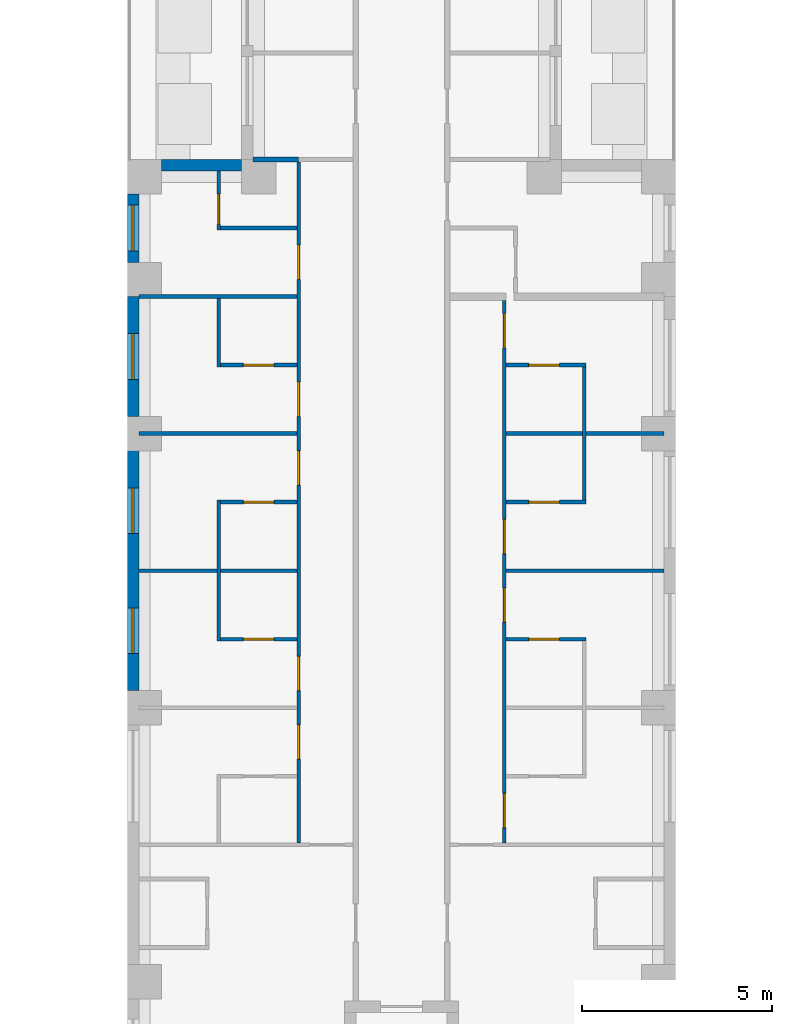
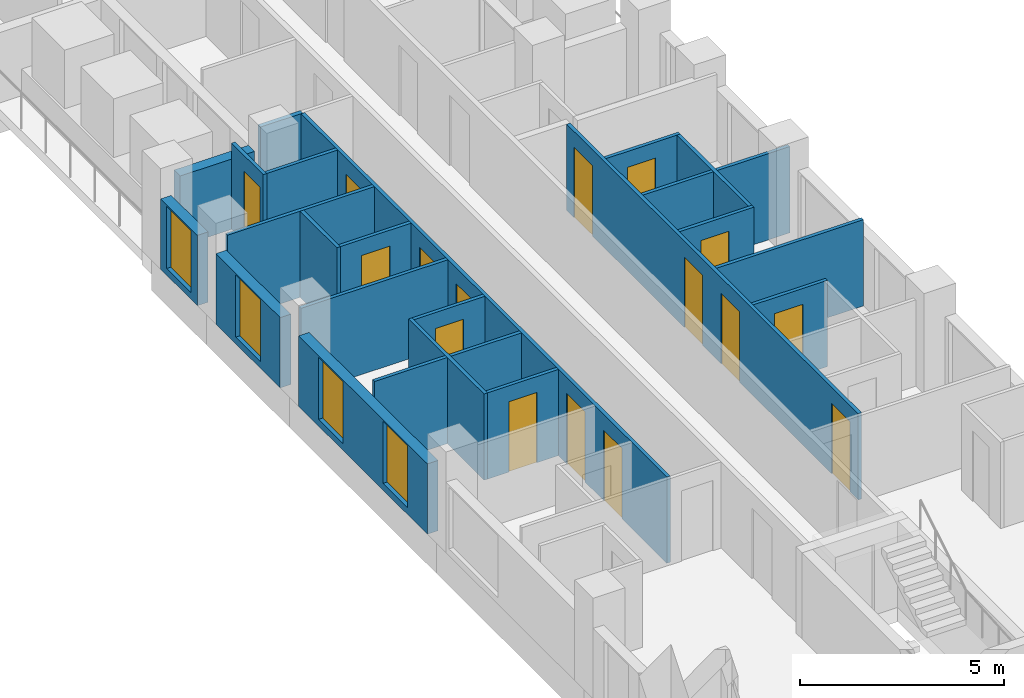
# One storey, part 4 of 14: 23 walls, 16 doors, 4 windows, 20 openings.
"""IFC4 building model written with IfcOpenShell, lengths in metres."""

from ifc_helpers import new_model, si_unit, direction, frame, frame_2d, origin, place, context, subcontext, project, spatial, rectangle, extrude, material, layer, layer_set, type_object, element, fill, save


model = new_model("IFC4")

# Units and contexts
model_context = context("Model", 3, precision=1e-05, world=origin(), true_north=direction((0.0, 1.0)))
body_context = subcontext(model_context, "Body", "Model", "MODEL_VIEW")
ifc_project = project(units=[si_unit("LENGTHUNIT", "METRE"), si_unit("AREAUNIT", "SQUARE_METRE"), si_unit("VOLUMEUNIT", "CUBIC_METRE"), si_unit("PLANEANGLEUNIT", "RADIAN"), si_unit("MASSUNIT", "GRAM", prefix="KILO")], contexts=[model_context])

# Site, building, storey
site_placement = place(None, origin())
site = spatial("IfcSite", under=ifc_project, at=site_placement, CompositionType="ELEMENT")
building_placement = place(site_placement, origin())
building = spatial("IfcBuilding", under=site, at=building_placement, Name="Fustian Cross Tower", CompositionType="ELEMENT")
storey_placement = place(building_placement, frame((0.0, 0.0, 72.89990234375)))
storey = spatial("IfcBuildingStorey", under=building, at=storey_placement, Name="L22", CompositionType="ELEMENT", Elevation=72.89990234375)

# Walls
ifc_material_1 = material(Name="Plasterboard on steel stud", Category="steel")
ifc_layer_1 = layer(ifc_material_1, 0.10009765625)
ifc_layer_set_1 = layer_set([ifc_layer_1], Name="Plasterboard on steel stud")
wall_type_1 = type_object("IfcWallType", Name="PARTITION 100 STUD", PredefinedType="PARTITIONING", material=ifc_layer_set_1)
for number, where, z_axis, x_axis, name in (
    (1, (-6.89990234375, -25.199951171875, 0.0), (0.0, 0.0, 1.0), (1.0, 0.0, 0.0), "Partition 22"),
    (2, (-6.89990234375, -21.60009765625, 0.0), (0.0, 0.0, 1.0), (1.0, 0.0, 0.0), "Partition 23"),
    (3, (-6.89990234375, -18.0, 0.0), (0.0, 0.0, 1.0), (1.0, 0.0, 0.0), "Partition 24"),
):
    element("IfcWall", number, at=place(storey_placement, frame(where, z_axis=z_axis, x_axis=x_axis)), inside=storey, type_object=wall_type_1, Name=name, PredefinedType="PARTITIONING", context=body_context, shape_type="SweptSolid", body=[
        extrude(rectangle(XDim=4.14990234375, YDim=0.10009765625, at=frame_2d((2.074951171875, 0.0))), origin(), (0.0, 0.0, 1.0), 2.5751953125),
    ])
wall_1_placement = place(storey_placement, frame((-4.800048828125, -27.050048828125, 0.0), z_axis=(0.0, 0.0, 1.0), x_axis=(0.0, 1.0, 0.0)))
element("IfcWall", 4, at=wall_1_placement, inside=storey, type_object=wall_type_1, Name="Partition 31", PredefinedType="PARTITIONING", context=body_context, shape_type="SweptSolid", body=[
    extrude(rectangle(XDim=3.699951171875, YDim=0.10009765625, at=frame_2d((1.85009765625, 0.0))), origin(), (0.0, 0.0, 1.0), 2.5751953125),
])

# Wall, opening, door
wall_2_placement = place(storey_placement, frame((-4.75, -27.0, 0.0), z_axis=(0.0, 0.0, 1.0), x_axis=(1.0, 0.0, 0.0)))
wall_2 = element("IfcWall", 5, at=wall_2_placement, inside=storey, type_object=wall_type_1, Name="Partition 32", PredefinedType="PARTITIONING", context=body_context, shape_type="SweptSolid", body=[
    extrude(rectangle(XDim=2.0, YDim=0.10009765625, at=frame_2d((1.0, 0.0))), origin(), (0.0, 0.0, 1.0), 2.5751953125),
])
opening_1_placement = place(wall_2_placement, frame((0.60009765625, 0.0, 0.0)))
opening_1 = element("IfcOpeningElement", 6, at=opening_1_placement, cuts=wall_2, Name="Opening D11064", PredefinedType="OPENING", context=body_context, shape_type="SweptSolid", body=[
    extrude(rectangle(XDim=0.800048828125, YDim=2.10009765625, at=frame_2d((0.39990234375, 1.050048828125))), frame((0.0, 0.06005859375, 0.0), z_axis=(0.0, -1.0, 0.0), x_axis=(1.0, 0.0, 0.0)), (0.0, 0.0, 1.0), 0.1201171875),
])
ifc_material_2 = material(Name="Painted timber", Category="wood")
door_type_1 = type_object("IfcDoorType", Name="SWING DOOR 800", OperationType="SINGLE_SWING_LEFT", PredefinedType="DOOR", material=ifc_material_2)
door_1_placement = place(opening_1_placement, origin())
door_1 = element("IfcDoor", 7, at=door_1_placement, inside=storey, type_object=door_type_1, Name="Door D11064", OperationType="SINGLE_SWING_LEFT", OverallHeight=2.10009765625, OverallWidth=0.800048828125, PredefinedType="DOOR", context=body_context, shape_type="SweptSolid", body=[
    extrude(rectangle(XDim=0.800048828125, YDim=2.10009765625, at=frame_2d((0.39990234375, 1.050048828125))), frame((0.0, 0.02490234375, 0.0), z_axis=(0.0, -1.0, 0.0), x_axis=(1.0, 0.0, 0.0)), (0.0, 0.0, 1.0), 0.050048828125),
])
fill(opening_1, door_1)

wall_3_placement = place(storey_placement, frame((-4.75, -23.39990234375, 0.0), z_axis=(0.0, 0.0, 1.0), x_axis=(1.0, 0.0, 0.0)))
wall_3 = element("IfcWall", 8, at=wall_3_placement, inside=storey, type_object=wall_type_1, Name="Partition 33", PredefinedType="PARTITIONING", context=body_context, shape_type="SweptSolid", body=[
    extrude(rectangle(XDim=2.0, YDim=0.10009765625, at=frame_2d((1.0, 0.0))), origin(), (0.0, 0.0, 1.0), 2.5751953125),
])
opening_2_placement = place(wall_3_placement, frame((0.60009765625, 0.0, 0.0)))
opening_2 = element("IfcOpeningElement", 9, at=opening_2_placement, cuts=wall_3, Name="Opening D11063", PredefinedType="OPENING", context=body_context, shape_type="SweptSolid", body=[
    extrude(rectangle(XDim=0.800048828125, YDim=2.10009765625, at=frame_2d((0.39990234375, 1.050048828125))), frame((0.0, 0.06005859375, 0.0), z_axis=(0.0, -1.0, 0.0), x_axis=(1.0, 0.0, 0.0)), (0.0, 0.0, 1.0), 0.1201171875),
])
door_2_placement = place(opening_2_placement, frame((0.800048828125, 0.0, 0.0), z_axis=(0.0, 0.0, 1.0), x_axis=(-1.0, 0.0, 0.0)))
door_2 = element("IfcDoor", 10, at=door_2_placement, inside=storey, type_object=door_type_1, Name="Door D11063", OperationType="SINGLE_SWING_RIGHT", OverallHeight=2.10009765625, OverallWidth=0.800048828125, PredefinedType="DOOR", context=body_context, shape_type="SweptSolid", body=[
    extrude(rectangle(XDim=0.800048828125, YDim=2.10009765625, at=frame_2d((0.39990234375, 1.050048828125))), frame((0.0, 0.02490234375, 0.0), z_axis=(0.0, -1.0, 0.0), x_axis=(1.0, 0.0, 0.0)), (0.0, 0.0, 1.0), 0.050048828125),
])
fill(opening_2, door_2)

# Wall
wall_4_placement = place(storey_placement, frame((-4.800048828125, -19.85009765625, 0.0), z_axis=(0.0, 0.0, 1.0), x_axis=(0.0, 1.0, 0.0)))
element("IfcWall", 11, at=wall_4_placement, inside=storey, type_object=wall_type_1, Name="Partition 34", PredefinedType="PARTITIONING", context=body_context, shape_type="SweptSolid", body=[
    extrude(rectangle(XDim=1.800048828125, YDim=0.10009765625, at=frame_2d((0.89990234375, 0.0))), origin(), (0.0, 0.0, 1.0), 2.5751953125),
])

# Wall, opening, door
wall_5_placement = place(storey_placement, frame((-4.75, -19.800048828125, 0.0), z_axis=(0.0, 0.0, 1.0), x_axis=(1.0, 0.0, 0.0)))
wall_5 = element("IfcWall", 12, at=wall_5_placement, inside=storey, type_object=wall_type_1, Name="Partition 35", PredefinedType="PARTITIONING", context=body_context, shape_type="SweptSolid", body=[
    extrude(rectangle(XDim=2.0, YDim=0.10009765625, at=frame_2d((1.0, 0.0))), origin(), (0.0, 0.0, 1.0), 2.5751953125),
])
opening_3_placement = place(wall_5_placement, frame((0.60009765625, 0.0, 0.0)))
opening_3 = element("IfcOpeningElement", 13, at=opening_3_placement, cuts=wall_5, Name="Opening D11062", PredefinedType="OPENING", context=body_context, shape_type="SweptSolid", body=[
    extrude(rectangle(XDim=0.800048828125, YDim=2.10009765625, at=frame_2d((0.39990234375, 1.050048828125))), frame((0.0, 0.06005859375, 0.0), z_axis=(0.0, -1.0, 0.0), x_axis=(1.0, 0.0, 0.0)), (0.0, 0.0, 1.0), 0.1201171875),
])
door_3_placement = place(opening_3_placement, origin())
door_3 = element("IfcDoor", 14, at=door_3_placement, inside=storey, type_object=door_type_1, Name="Door D11062", OperationType="SINGLE_SWING_LEFT", OverallHeight=2.10009765625, OverallWidth=0.800048828125, PredefinedType="DOOR", context=body_context, shape_type="SweptSolid", body=[
    extrude(rectangle(XDim=0.800048828125, YDim=2.10009765625, at=frame_2d((0.39990234375, 1.050048828125))), frame((0.0, 0.02490234375, 0.0), z_axis=(0.0, -1.0, 0.0), x_axis=(1.0, 0.0, 0.0)), (0.0, 0.0, 1.0), 0.050048828125),
])
fill(opening_3, door_3)

wall_6_placement = place(storey_placement, frame((-4.800048828125, -16.25, 0.0), z_axis=(0.0, 0.0, 1.0), x_axis=(0.0, 1.0, 0.0)))
wall_6 = element("IfcWall", 15, at=wall_6_placement, inside=storey, type_object=wall_type_1, Name="Partition 36", PredefinedType="PARTITIONING", context=body_context, shape_type="SweptSolid", body=[
    extrude(rectangle(XDim=1.550048828125, YDim=0.10009765625, at=frame_2d((0.77490234375, 0.0))), origin(), (0.0, 0.0, 1.0), 2.5751953125),
])
opening_4_placement = place(wall_6_placement, frame((0.14990234375, 0.0, 0.0)))
opening_4 = element("IfcOpeningElement", 16, at=opening_4_placement, cuts=wall_6, Name="Opening D11061", PredefinedType="OPENING", context=body_context, shape_type="SweptSolid", body=[
    extrude(rectangle(XDim=0.800048828125, YDim=2.10009765625, at=frame_2d((0.39990234375, 1.050048828125))), frame((0.0, 0.06005859375, 0.0), z_axis=(0.0, -1.0, 0.0), x_axis=(1.0, 0.0, 0.0)), (0.0, 0.0, 1.0), 0.1201171875),
])
door_4_placement = place(opening_4_placement, frame((0.800048828125, 0.0, 0.0), z_axis=(0.0, 0.0, 1.0), x_axis=(-1.0, 0.0, 0.0)))
door_4 = element("IfcDoor", 17, at=door_4_placement, inside=storey, type_object=door_type_1, Name="Door D11061", OperationType="SINGLE_SWING_RIGHT", OverallHeight=2.10009765625, OverallWidth=0.800048828125, PredefinedType="DOOR", context=body_context, shape_type="SweptSolid", body=[
    extrude(rectangle(XDim=0.800048828125, YDim=2.10009765625, at=frame_2d((0.39990234375, 1.050048828125))), frame((0.0, 0.02490234375, 0.0), z_axis=(0.0, -1.0, 0.0), x_axis=(1.0, 0.0, 0.0)), (0.0, 0.0, 1.0), 0.050048828125),
])
fill(opening_4, door_4)

# Wall
wall_7_placement = place(storey_placement, frame((-4.75, -16.199951171875, 0.0), z_axis=(0.0, 0.0, 1.0), x_axis=(1.0, 0.0, 0.0)))
element("IfcWall", 18, at=wall_7_placement, inside=storey, type_object=wall_type_1, Name="Partition 37", PredefinedType="PARTITIONING", context=body_context, shape_type="SweptSolid", body=[
    extrude(rectangle(XDim=2.0, YDim=0.10009765625, at=frame_2d((1.0, 0.0))), origin(), (0.0, 0.0, 1.0), 2.5751953125),
])

# Wall, openings, doors
wall_8_placement = place(storey_placement, frame((-2.699951171875, -32.35009765625, 0.0), z_axis=(0.0, 0.0, 1.0), x_axis=(0.0, 1.0, 0.0)))
wall_8 = element("IfcWall", 19, at=wall_8_placement, inside=storey, type_object=wall_type_1, Name="Partition 47", PredefinedType="PARTITIONING", context=body_context, shape_type="SweptSolid", body=[
    extrude(rectangle(XDim=17.8876953125, YDim=0.10009765625, at=frame_2d((8.94384765625, 0.0))), origin(), (0.0, 0.0, 1.0), 2.5751953125),
])
opening_5_placement = place(wall_8_placement, frame((2.199951171875, 0.0, 0.0)))
opening_5 = element("IfcOpeningElement", 20, at=opening_5_placement, cuts=wall_8, Name="Opening D11055", PredefinedType="OPENING", context=body_context, shape_type="SweptSolid", body=[
    extrude(rectangle(XDim=0.89990234375, YDim=2.10009765625, at=frame_2d((0.449951171875, 1.050048828125))), frame((0.0, 0.06005859375, 0.0), z_axis=(0.0, -1.0, 0.0), x_axis=(1.0, 0.0, 0.0)), (0.0, 0.0, 1.0), 0.1201171875),
])
opening_6_placement = place(wall_8_placement, frame((4.0, 0.0, 0.0)))
opening_6 = element("IfcOpeningElement", 21, at=opening_6_placement, cuts=wall_8, Name="Opening D11056", PredefinedType="OPENING", context=body_context, shape_type="SweptSolid", body=[
    extrude(rectangle(XDim=0.89990234375, YDim=2.10009765625, at=frame_2d((0.449951171875, 1.050048828125))), frame((0.0, 0.06005859375, 0.0), z_axis=(0.0, -1.0, 0.0), x_axis=(1.0, 0.0, 0.0)), (0.0, 0.0, 1.0), 0.1201171875),
])
opening_7_placement = place(wall_8_placement, frame((9.39990234375, 0.0, 0.0)))
opening_7 = element("IfcOpeningElement", 22, at=opening_7_placement, cuts=wall_8, Name="Opening D11057", PredefinedType="OPENING", context=body_context, shape_type="SweptSolid", body=[
    extrude(rectangle(XDim=0.89990234375, YDim=2.10009765625, at=frame_2d((0.449951171875, 1.050048828125))), frame((0.0, 0.06005859375, 0.0), z_axis=(0.0, -1.0, 0.0), x_axis=(1.0, 0.0, 0.0)), (0.0, 0.0, 1.0), 0.1201171875),
])
opening_8_placement = place(wall_8_placement, frame((11.199951171875, 0.0, 0.0)))
opening_8 = element("IfcOpeningElement", 23, at=opening_8_placement, cuts=wall_8, Name="Opening D11058", PredefinedType="OPENING", context=body_context, shape_type="SweptSolid", body=[
    extrude(rectangle(XDim=0.89990234375, YDim=2.10009765625, at=frame_2d((0.449951171875, 1.050048828125))), frame((0.0, 0.06005859375, 0.0), z_axis=(0.0, -1.0, 0.0), x_axis=(1.0, 0.0, 0.0)), (0.0, 0.0, 1.0), 0.1201171875),
])
opening_9_placement = place(wall_8_placement, frame((14.800048828125, 0.0, 0.0)))
opening_9 = element("IfcOpeningElement", 24, at=opening_9_placement, cuts=wall_8, Name="Opening D11059", PredefinedType="OPENING", context=body_context, shape_type="SweptSolid", body=[
    extrude(rectangle(XDim=0.89990234375, YDim=2.10009765625, at=frame_2d((0.449951171875, 1.050048828125))), frame((0.0, 0.06005859375, 0.0), z_axis=(0.0, -1.0, 0.0), x_axis=(1.0, 0.0, 0.0)), (0.0, 0.0, 1.0), 0.1201171875),
])
ifc_material_3 = material(Name="Painted timber", Category="wood")
door_type_2 = type_object("IfcDoorType", Name="SWING DOOR 900", OperationType="SINGLE_SWING_LEFT", PredefinedType="DOOR", material=ifc_material_3)
door_5_placement = place(opening_5_placement, origin())
door_5 = element("IfcDoor", 25, at=door_5_placement, inside=storey, type_object=door_type_2, Name="Door D11055", OperationType="SINGLE_SWING_LEFT", OverallHeight=2.10009765625, OverallWidth=0.89990234375, PredefinedType="DOOR", context=body_context, shape_type="SweptSolid", body=[
    extrude(rectangle(XDim=0.89990234375, YDim=2.10009765625, at=frame_2d((0.449951171875, 1.050048828125))), frame((0.0, 0.02490234375, 0.0), z_axis=(0.0, -1.0, 0.0), x_axis=(1.0, 0.0, 0.0)), (0.0, 0.0, 1.0), 0.050048828125),
])
fill(opening_5, door_5)
door_6_placement = place(opening_6_placement, origin())
door_6 = element("IfcDoor", 26, at=door_6_placement, inside=storey, type_object=door_type_2, Name="Door D11056", OperationType="SINGLE_SWING_LEFT", OverallHeight=2.10009765625, OverallWidth=0.89990234375, PredefinedType="DOOR", context=body_context, shape_type="SweptSolid", body=[
    extrude(rectangle(XDim=0.89990234375, YDim=2.10009765625, at=frame_2d((0.449951171875, 1.050048828125))), frame((0.0, 0.02490234375, 0.0), z_axis=(0.0, -1.0, 0.0), x_axis=(1.0, 0.0, 0.0)), (0.0, 0.0, 1.0), 0.050048828125),
])
fill(opening_6, door_6)
door_7_placement = place(opening_7_placement, origin())
door_7 = element("IfcDoor", 27, at=door_7_placement, inside=storey, type_object=door_type_2, Name="Door D11057", OperationType="SINGLE_SWING_LEFT", OverallHeight=2.10009765625, OverallWidth=0.89990234375, PredefinedType="DOOR", context=body_context, shape_type="SweptSolid", body=[
    extrude(rectangle(XDim=0.89990234375, YDim=2.10009765625, at=frame_2d((0.449951171875, 1.050048828125))), frame((0.0, 0.02490234375, 0.0), z_axis=(0.0, -1.0, 0.0), x_axis=(1.0, 0.0, 0.0)), (0.0, 0.0, 1.0), 0.050048828125),
])
fill(opening_7, door_7)
door_8_placement = place(opening_8_placement, origin())
door_8 = element("IfcDoor", 28, at=door_8_placement, inside=storey, type_object=door_type_2, Name="Door D11058", OperationType="SINGLE_SWING_LEFT", OverallHeight=2.10009765625, OverallWidth=0.89990234375, PredefinedType="DOOR", context=body_context, shape_type="SweptSolid", body=[
    extrude(rectangle(XDim=0.89990234375, YDim=2.10009765625, at=frame_2d((0.449951171875, 1.050048828125))), frame((0.0, 0.02490234375, 0.0), z_axis=(0.0, -1.0, 0.0), x_axis=(1.0, 0.0, 0.0)), (0.0, 0.0, 1.0), 0.050048828125),
])
fill(opening_8, door_8)
door_9_placement = place(opening_9_placement, origin())
door_9 = element("IfcDoor", 29, at=door_9_placement, inside=storey, type_object=door_type_2, Name="Door D11059", OperationType="SINGLE_SWING_LEFT", OverallHeight=2.10009765625, OverallWidth=0.89990234375, PredefinedType="DOOR", context=body_context, shape_type="SweptSolid", body=[
    extrude(rectangle(XDim=0.89990234375, YDim=2.10009765625, at=frame_2d((0.449951171875, 1.050048828125))), frame((0.0, 0.02490234375, 0.0), z_axis=(0.0, -1.0, 0.0), x_axis=(1.0, 0.0, 0.0)), (0.0, 0.0, 1.0), 0.050048828125),
])
fill(opening_9, door_9)

wall_9_placement = place(storey_placement, frame((2.699951171875, -32.35009765625, 0.0), z_axis=(0.0, 0.0, 1.0), x_axis=(0.0, 1.0, 0.0)))
wall_9 = element("IfcWall", 30, at=wall_9_placement, inside=storey, type_object=wall_type_1, Name="Partition 67", PredefinedType="PARTITIONING", context=body_context, shape_type="SweptSolid", body=[
    extrude(rectangle(XDim=14.25, YDim=0.10009765625, at=frame_2d((7.125, 0.0))), origin(), (0.0, 0.0, 1.0), 2.5751953125),
])
opening_10_placement = place(wall_9_placement, frame((0.400146484375, 0.0, 0.0)))
opening_10 = element("IfcOpeningElement", 31, at=opening_10_placement, cuts=wall_9, Name="Opening D11043", PredefinedType="OPENING", context=body_context, shape_type="SweptSolid", body=[
    extrude(rectangle(XDim=0.89990234375, YDim=2.10009765625, at=frame_2d((0.449951171875, 1.050048828125))), frame((0.0, 0.06005859375, 0.0), z_axis=(0.0, -1.0, 0.0), x_axis=(1.0, 0.0, 0.0)), (0.0, 0.0, 1.0), 0.1201171875),
])
opening_11_placement = place(wall_9_placement, frame((5.800048828125, 0.0, 0.0)))
opening_11 = element("IfcOpeningElement", 32, at=opening_11_placement, cuts=wall_9, Name="Opening D11044", PredefinedType="OPENING", context=body_context, shape_type="SweptSolid", body=[
    extrude(rectangle(XDim=0.89990234375, YDim=2.10009765625, at=frame_2d((0.449951171875, 1.050048828125))), frame((0.0, 0.06005859375, 0.0), z_axis=(0.0, -1.0, 0.0), x_axis=(1.0, 0.0, 0.0)), (0.0, 0.0, 1.0), 0.1201171875),
])
opening_12_placement = place(wall_9_placement, frame((7.60009765625, 0.0, 0.0)))
opening_12 = element("IfcOpeningElement", 33, at=opening_12_placement, cuts=wall_9, Name="Opening D11045", PredefinedType="OPENING", context=body_context, shape_type="SweptSolid", body=[
    extrude(rectangle(XDim=0.89990234375, YDim=2.10009765625, at=frame_2d((0.449951171875, 1.050048828125))), frame((0.0, 0.06005859375, 0.0), z_axis=(0.0, -1.0, 0.0), x_axis=(1.0, 0.0, 0.0)), (0.0, 0.0, 1.0), 0.1201171875),
])
opening_13_placement = place(wall_9_placement, frame((13.0, 0.0, 0.0)))
opening_13 = element("IfcOpeningElement", 34, at=opening_13_placement, cuts=wall_9, Name="Opening D11046", PredefinedType="OPENING", context=body_context, shape_type="SweptSolid", body=[
    extrude(rectangle(XDim=0.89990234375, YDim=2.10009765625, at=frame_2d((0.449951171875, 1.050048828125))), frame((0.0, 0.06005859375, 0.0), z_axis=(0.0, -1.0, 0.0), x_axis=(1.0, 0.0, 0.0)), (0.0, 0.0, 1.0), 0.1201171875),
])
door_10_placement = place(opening_10_placement, frame((0.89990234375, 0.0, 0.0), z_axis=(0.0, 0.0, 1.0), x_axis=(-1.0, 0.0, 0.0)))
door_10 = element("IfcDoor", 35, at=door_10_placement, inside=storey, type_object=door_type_2, Name="Door D11043", OperationType="SINGLE_SWING_RIGHT", OverallHeight=2.10009765625, OverallWidth=0.89990234375, PredefinedType="DOOR", context=body_context, shape_type="SweptSolid", body=[
    extrude(rectangle(XDim=0.89990234375, YDim=2.10009765625, at=frame_2d((0.449951171875, 1.050048828125))), frame((0.0, 0.02490234375, 0.0), z_axis=(0.0, -1.0, 0.0), x_axis=(1.0, 0.0, 0.0)), (0.0, 0.0, 1.0), 0.050048828125),
])
fill(opening_10, door_10)
door_11_placement = place(opening_11_placement, frame((0.89990234375, 0.0, 0.0), z_axis=(0.0, 0.0, 1.0), x_axis=(-1.0, 0.0, 0.0)))
door_11 = element("IfcDoor", 36, at=door_11_placement, inside=storey, type_object=door_type_2, Name="Door D11044", OperationType="SINGLE_SWING_RIGHT", OverallHeight=2.10009765625, OverallWidth=0.89990234375, PredefinedType="DOOR", context=body_context, shape_type="SweptSolid", body=[
    extrude(rectangle(XDim=0.89990234375, YDim=2.10009765625, at=frame_2d((0.449951171875, 1.050048828125))), frame((0.0, 0.02490234375, 0.0), z_axis=(0.0, -1.0, 0.0), x_axis=(1.0, 0.0, 0.0)), (0.0, 0.0, 1.0), 0.050048828125),
])
fill(opening_11, door_11)
door_12_placement = place(opening_12_placement, frame((0.89990234375, 0.0, 0.0), z_axis=(0.0, 0.0, 1.0), x_axis=(-1.0, 0.0, 0.0)))
door_12 = element("IfcDoor", 37, at=door_12_placement, inside=storey, type_object=door_type_2, Name="Door D11045", OperationType="SINGLE_SWING_RIGHT", OverallHeight=2.10009765625, OverallWidth=0.89990234375, PredefinedType="DOOR", context=body_context, shape_type="SweptSolid", body=[
    extrude(rectangle(XDim=0.89990234375, YDim=2.10009765625, at=frame_2d((0.449951171875, 1.050048828125))), frame((0.0, 0.02490234375, 0.0), z_axis=(0.0, -1.0, 0.0), x_axis=(1.0, 0.0, 0.0)), (0.0, 0.0, 1.0), 0.050048828125),
])
fill(opening_12, door_12)
door_13_placement = place(opening_13_placement, frame((0.89990234375, 0.0, 0.0), z_axis=(0.0, 0.0, 1.0), x_axis=(-1.0, 0.0, 0.0)))
door_13 = element("IfcDoor", 38, at=door_13_placement, inside=storey, type_object=door_type_2, Name="Door D11046", OperationType="SINGLE_SWING_RIGHT", OverallHeight=2.10009765625, OverallWidth=0.89990234375, PredefinedType="DOOR", context=body_context, shape_type="SweptSolid", body=[
    extrude(rectangle(XDim=0.89990234375, YDim=2.10009765625, at=frame_2d((0.449951171875, 1.050048828125))), frame((0.0, 0.02490234375, 0.0), z_axis=(0.0, -1.0, 0.0), x_axis=(1.0, 0.0, 0.0)), (0.0, 0.0, 1.0), 0.050048828125),
])
fill(opening_13, door_13)

# Wall, opening, door
wall_10_placement = place(storey_placement, frame((2.75, -27.0, 0.0), z_axis=(0.0, 0.0, 1.0), x_axis=(1.0, 0.0, 0.0)))
wall_10 = element("IfcWall", 39, at=wall_10_placement, inside=storey, type_object=wall_type_1, Name="Partition 70", PredefinedType="PARTITIONING", context=body_context, shape_type="SweptSolid", body=[
    extrude(rectangle(XDim=2.10009765625, YDim=0.10009765625, at=frame_2d((1.050048828125, 0.0))), origin(), (0.0, 0.0, 1.0), 2.5751953125),
])
opening_14_placement = place(wall_10_placement, frame((0.60009765625, 0.0, 0.0)))
opening_14 = element("IfcOpeningElement", 40, at=opening_14_placement, cuts=wall_10, Name="Opening D11049", PredefinedType="OPENING", context=body_context, shape_type="SweptSolid", body=[
    extrude(rectangle(XDim=0.800048828125, YDim=2.10009765625, at=frame_2d((0.39990234375, 1.050048828125))), frame((0.0, 0.06005859375, 0.0), z_axis=(0.0, -1.0, 0.0), x_axis=(1.0, 0.0, 0.0)), (0.0, 0.0, 1.0), 0.1201171875),
])
door_14_placement = place(opening_14_placement, frame((0.800048828125, 0.0, 0.0), z_axis=(0.0, 0.0, 1.0), x_axis=(-1.0, 0.0, 0.0)))
door_14 = element("IfcDoor", 41, at=door_14_placement, inside=storey, type_object=door_type_1, Name="Door D11049", OperationType="SINGLE_SWING_RIGHT", OverallHeight=2.10009765625, OverallWidth=0.800048828125, PredefinedType="DOOR", context=body_context, shape_type="SweptSolid", body=[
    extrude(rectangle(XDim=0.800048828125, YDim=2.10009765625, at=frame_2d((0.39990234375, 1.050048828125))), frame((0.0, 0.02490234375, 0.0), z_axis=(0.0, -1.0, 0.0), x_axis=(1.0, 0.0, 0.0)), (0.0, 0.0, 1.0), 0.050048828125),
])
fill(opening_14, door_14)

# Wall
wall_11_placement = place(storey_placement, frame((2.75, -25.199951171875, 0.0), z_axis=(0.0, 0.0, 1.0), x_axis=(1.0, 0.0, 0.0)))
element("IfcWall", 42, at=wall_11_placement, inside=storey, type_object=wall_type_1, Name="Partition 71", PredefinedType="PARTITIONING", context=body_context, shape_type="SweptSolid", body=[
    extrude(rectangle(XDim=4.14990234375, YDim=0.10009765625, at=frame_2d((2.074951171875, 0.0))), origin(), (0.0, 0.0, 1.0), 2.5751953125),
])

# Wall, opening, door
wall_12_placement = place(storey_placement, frame((2.75, -23.39990234375, 0.0), z_axis=(0.0, 0.0, 1.0), x_axis=(1.0, 0.0, 0.0)))
wall_12 = element("IfcWall", 43, at=wall_12_placement, inside=storey, type_object=wall_type_1, Name="Partition 72", PredefinedType="PARTITIONING", context=body_context, shape_type="SweptSolid", body=[
    extrude(rectangle(XDim=2.10009765625, YDim=0.10009765625, at=frame_2d((1.050048828125, 0.0))), origin(), (0.0, 0.0, 1.0), 2.5751953125),
])
opening_15_placement = place(wall_12_placement, frame((0.60009765625, 0.0, 0.0)))
opening_15 = element("IfcOpeningElement", 44, at=opening_15_placement, cuts=wall_12, Name="Opening D11048", PredefinedType="OPENING", context=body_context, shape_type="SweptSolid", body=[
    extrude(rectangle(XDim=0.800048828125, YDim=2.10009765625, at=frame_2d((0.39990234375, 1.050048828125))), frame((0.0, 0.06005859375, 0.0), z_axis=(0.0, -1.0, 0.0), x_axis=(1.0, 0.0, 0.0)), (0.0, 0.0, 1.0), 0.1201171875),
])
door_15_placement = place(opening_15_placement, origin())
door_15 = element("IfcDoor", 45, at=door_15_placement, inside=storey, type_object=door_type_1, Name="Door D11048", OperationType="SINGLE_SWING_LEFT", OverallHeight=2.10009765625, OverallWidth=0.800048828125, PredefinedType="DOOR", context=body_context, shape_type="SweptSolid", body=[
    extrude(rectangle(XDim=0.800048828125, YDim=2.10009765625, at=frame_2d((0.39990234375, 1.050048828125))), frame((0.0, 0.02490234375, 0.0), z_axis=(0.0, -1.0, 0.0), x_axis=(1.0, 0.0, 0.0)), (0.0, 0.0, 1.0), 0.050048828125),
])
fill(opening_15, door_15)

# Wall
wall_13_placement = place(storey_placement, frame((2.75, -21.60009765625, 0.0), z_axis=(0.0, 0.0, 1.0), x_axis=(1.0, 0.0, 0.0)))
element("IfcWall", 46, at=wall_13_placement, inside=storey, type_object=wall_type_1, Name="Partition 73", PredefinedType="PARTITIONING", context=body_context, shape_type="SweptSolid", body=[
    extrude(rectangle(XDim=4.14990234375, YDim=0.10009765625, at=frame_2d((2.074951171875, 0.0))), origin(), (0.0, 0.0, 1.0), 2.5751953125),
])

# Wall, opening, door
wall_14_placement = place(storey_placement, frame((2.75, -19.800048828125, 0.0), z_axis=(0.0, 0.0, 1.0), x_axis=(1.0, 0.0, 0.0)))
wall_14 = element("IfcWall", 47, at=wall_14_placement, inside=storey, type_object=wall_type_1, Name="Partition 74", PredefinedType="PARTITIONING", context=body_context, shape_type="SweptSolid", body=[
    extrude(rectangle(XDim=2.10009765625, YDim=0.10009765625, at=frame_2d((1.050048828125, 0.0))), origin(), (0.0, 0.0, 1.0), 2.5751953125),
])
opening_16_placement = place(wall_14_placement, frame((0.60009765625, 0.0, 0.0)))
opening_16 = element("IfcOpeningElement", 48, at=opening_16_placement, cuts=wall_14, Name="Opening D11047", PredefinedType="OPENING", context=body_context, shape_type="SweptSolid", body=[
    extrude(rectangle(XDim=0.800048828125, YDim=2.10009765625, at=frame_2d((0.39990234375, 1.050048828125))), frame((0.0, 0.06005859375, 0.0), z_axis=(0.0, -1.0, 0.0), x_axis=(1.0, 0.0, 0.0)), (0.0, 0.0, 1.0), 0.1201171875),
])
door_16_placement = place(opening_16_placement, frame((0.800048828125, 0.0, 0.0), z_axis=(0.0, 0.0, 1.0), x_axis=(-1.0, 0.0, 0.0)))
door_16 = element("IfcDoor", 49, at=door_16_placement, inside=storey, type_object=door_type_1, Name="Door D11047", OperationType="SINGLE_SWING_RIGHT", OverallHeight=2.10009765625, OverallWidth=0.800048828125, PredefinedType="DOOR", context=body_context, shape_type="SweptSolid", body=[
    extrude(rectangle(XDim=0.800048828125, YDim=2.10009765625, at=frame_2d((0.39990234375, 1.050048828125))), frame((0.0, 0.02490234375, 0.0), z_axis=(0.0, -1.0, 0.0), x_axis=(1.0, 0.0, 0.0)), (0.0, 0.0, 1.0), 0.050048828125),
])
fill(opening_16, door_16)

# Walls
wall_15_placement = place(storey_placement, frame((4.800048828125, -23.35009765625, 0.0), z_axis=(0.0, 0.0, 1.0), x_axis=(0.0, 1.0, 0.0)))
element("IfcWall", 50, at=wall_15_placement, inside=storey, type_object=wall_type_1, Name="Partition 79", PredefinedType="PARTITIONING", context=body_context, shape_type="SweptSolid", body=[
    extrude(rectangle(XDim=3.5, YDim=0.10009765625, at=frame_2d((1.75, 0.0))), origin(), (0.0, 0.0, 1.0), 2.5751953125),
])
ifc_material_4 = material(Name="Plasterboard on steel stud", Category="steel")
ifc_layer_2 = layer(ifc_material_4, 0.125)
ifc_layer_set_2 = layer_set([ifc_layer_2], Name="Plasterboard on steel stud")
wall_type_2 = type_object("IfcWallType", Name="WET WALL 125 STUD", PredefinedType="PARTITIONING", material=ifc_layer_set_2)
wall_16_placement = place(storey_placement, frame((-3.89990234375, -14.39990234375, 0.0), z_axis=(0.0, 0.0, 1.0), x_axis=(1.0, 0.0, 0.0)))
element("IfcWall", 51, at=wall_16_placement, inside=storey, type_object=wall_type_2, Name="Partition 38", PredefinedType="PARTITIONING", context=body_context, shape_type="SweptSolid", body=[
    extrude(rectangle(XDim=1.199951171875, YDim=0.125, at=frame_2d((0.60009765625, 0.0))), origin(), (0.0, 0.0, 1.0), 2.5751953125),
])
ifc_material_5 = material(Name="Dark aluminium cladding on insulated backing wall", Category="aluminium")
ifc_layer_3 = layer(ifc_material_5, 0.300048828125)
ifc_layer_set_3 = layer_set([ifc_layer_3], Name="Dark aluminium cladding on insulated backing wall")
wall_type_3 = type_object("IfcWallType", Name="XW1 EXTERNAL WALL 300", PredefinedType="SOLIDWALL", material=ifc_layer_set_3)
wall_17_placement = place(storey_placement, frame((-4.199951171875, -14.550048828125, 0.0), z_axis=(0.0, 0.0, 1.0), x_axis=(-1.0, 0.0, 0.0)))
element("IfcWall", 52, at=wall_17_placement, inside=storey, type_object=wall_type_3, Name="External wall", PredefinedType="SOLIDWALL", context=body_context, shape_type="SweptSolid", body=[
    extrude(rectangle(XDim=2.10009765625, YDim=0.300048828125, at=frame_2d((1.050048828125, 0.0))), origin(), (0.0, 0.0, 1.0), 2.10009765625),
])

# Wall, opening, window
wall_18_placement = place(storey_placement, frame((-7.050048828125, -15.300048828125, 0.0), z_axis=(0.0, 0.0, 1.0), x_axis=(0.0, -1.0, 0.0)))
wall_18 = element("IfcWall", 53, at=wall_18_placement, inside=storey, type_object=wall_type_3, Name="External wall", PredefinedType="SOLIDWALL", context=body_context, shape_type="SweptSolid", body=[
    extrude(rectangle(XDim=1.800048828125, YDim=0.300048828125, at=frame_2d((0.89990234375, 0.0))), origin(), (0.0, 0.0, 1.0), 2.10009765625),
])
opening_17_placement = place(wall_18_placement, frame((0.300048828125, 0.0, 0.199951171875)))
opening_17 = element("IfcOpeningElement", 54, at=opening_17_placement, cuts=wall_18, Name="Opening WN3", PredefinedType="OPENING", context=body_context, shape_type="SweptSolid", body=[
    extrude(rectangle(XDim=1.199951171875, YDim=1.85009765625, at=frame_2d((0.60009765625, 0.925048828125))), frame((0.0, 0.159912109375, 0.0), z_axis=(0.0, -1.0, 0.0), x_axis=(1.0, 0.0, 0.0)), (0.0, 0.0, 1.0), 0.320068359375),
])
ifc_material_6 = material(Name="Dark anodised aluminium and double glazing", Category="aluminium")
window_type = type_object("IfcWindowType", Name="WN3 WINDOW 1200X1850", PartitioningType="SINGLE_PANEL", PredefinedType="WINDOW", material=ifc_material_6)
window_1_placement = place(opening_17_placement, origin())
window_1 = element("IfcWindow", 55, at=window_1_placement, inside=storey, type_object=window_type, Name="Window", OverallHeight=1.85009765625, OverallWidth=1.199951171875, PartitioningType="SINGLE_PANEL", PredefinedType="WINDOW", context=body_context, shape_type="SweptSolid", body=[
    extrude(rectangle(XDim=1.199951171875, YDim=1.85009765625, at=frame_2d((0.60009765625, 0.925048828125))), frame((0.0, 0.030029296875, 0.0), z_axis=(0.0, -1.0, 0.0), x_axis=(1.0, 0.0, 0.0)), (0.0, 0.0, 1.0), 0.06005859375),
])
fill(opening_17, window_1)

wall_19_placement = place(storey_placement, frame((-7.050048828125, -18.0, 0.0), z_axis=(0.0, 0.0, 1.0), x_axis=(0.0, -1.0, 0.0)))
wall_19 = element("IfcWall", 56, at=wall_19_placement, inside=storey, type_object=wall_type_3, Name="External wall", PredefinedType="SOLIDWALL", context=body_context, shape_type="SweptSolid", body=[
    extrude(rectangle(XDim=3.14990234375, YDim=0.300048828125, at=frame_2d((1.574951171875, 0.0))), origin(), (0.0, 0.0, 1.0), 2.10009765625),
])
opening_18_placement = place(wall_19_placement, frame((0.97509765625, 0.0, 0.199951171875)))
opening_18 = element("IfcOpeningElement", 57, at=opening_18_placement, cuts=wall_19, Name="Opening WN3", PredefinedType="OPENING", context=body_context, shape_type="SweptSolid", body=[
    extrude(rectangle(XDim=1.199951171875, YDim=1.85009765625, at=frame_2d((0.60009765625, 0.925048828125))), frame((0.0, 0.159912109375, 0.0), z_axis=(0.0, -1.0, 0.0), x_axis=(1.0, 0.0, 0.0)), (0.0, 0.0, 1.0), 0.320068359375),
])
window_2_placement = place(opening_18_placement, origin())
window_2 = element("IfcWindow", 58, at=window_2_placement, inside=storey, type_object=window_type, Name="Window", OverallHeight=1.85009765625, OverallWidth=1.199951171875, PartitioningType="SINGLE_PANEL", PredefinedType="WINDOW", context=body_context, shape_type="SweptSolid", body=[
    extrude(rectangle(XDim=1.199951171875, YDim=1.85009765625, at=frame_2d((0.60009765625, 0.925048828125))), frame((0.0, 0.030029296875, 0.0), z_axis=(0.0, -1.0, 0.0), x_axis=(1.0, 0.0, 0.0)), (0.0, 0.0, 1.0), 0.06005859375),
])
fill(opening_18, window_2)

# Wall, openings, windows
wall_20_placement = place(storey_placement, frame((-7.050048828125, -22.050048828125, 0.0), z_axis=(0.0, 0.0, 1.0), x_axis=(0.0, -1.0, 0.0)))
wall_20 = element("IfcWall", 59, at=wall_20_placement, inside=storey, type_object=wall_type_3, Name="External wall", PredefinedType="SOLIDWALL", context=body_context, shape_type="SweptSolid", body=[
    extrude(rectangle(XDim=6.300048828125, YDim=0.300048828125, at=frame_2d((3.14990234375, 0.0))), origin(), (0.0, 0.0, 1.0), 2.10009765625),
])
opening_19_placement = place(wall_20_placement, frame((0.97509765625, 0.0, 0.199951171875)))
opening_19 = element("IfcOpeningElement", 60, at=opening_19_placement, cuts=wall_20, Name="Opening WN3", PredefinedType="OPENING", context=body_context, shape_type="SweptSolid", body=[
    extrude(rectangle(XDim=1.199951171875, YDim=1.85009765625, at=frame_2d((0.60009765625, 0.925048828125))), frame((0.0, 0.159912109375, 0.0), z_axis=(0.0, -1.0, 0.0), x_axis=(1.0, 0.0, 0.0)), (0.0, 0.0, 1.0), 0.320068359375),
])
opening_20_placement = place(wall_20_placement, frame((4.125, 0.0, 0.199951171875)))
opening_20 = element("IfcOpeningElement", 61, at=opening_20_placement, cuts=wall_20, Name="Opening WN3", PredefinedType="OPENING", context=body_context, shape_type="SweptSolid", body=[
    extrude(rectangle(XDim=1.199951171875, YDim=1.85009765625, at=frame_2d((0.60009765625, 0.925048828125))), frame((0.0, 0.159912109375, 0.0), z_axis=(0.0, -1.0, 0.0), x_axis=(1.0, 0.0, 0.0)), (0.0, 0.0, 1.0), 0.320068359375),
])
window_3_placement = place(opening_19_placement, origin())
window_3 = element("IfcWindow", 62, at=window_3_placement, inside=storey, type_object=window_type, Name="Window", OverallHeight=1.85009765625, OverallWidth=1.199951171875, PartitioningType="SINGLE_PANEL", PredefinedType="WINDOW", context=body_context, shape_type="SweptSolid", body=[
    extrude(rectangle(XDim=1.199951171875, YDim=1.85009765625, at=frame_2d((0.60009765625, 0.925048828125))), frame((0.0, 0.030029296875, 0.0), z_axis=(0.0, -1.0, 0.0), x_axis=(1.0, 0.0, 0.0)), (0.0, 0.0, 1.0), 0.06005859375),
])
fill(opening_19, window_3)
window_4_placement = place(opening_20_placement, origin())
window_4 = element("IfcWindow", 63, at=window_4_placement, inside=storey, type_object=window_type, Name="Window", OverallHeight=1.85009765625, OverallWidth=1.199951171875, PartitioningType="SINGLE_PANEL", PredefinedType="WINDOW", context=body_context, shape_type="SweptSolid", body=[
    extrude(rectangle(XDim=1.199951171875, YDim=1.85009765625, at=frame_2d((0.60009765625, 0.925048828125))), frame((0.0, 0.030029296875, 0.0), z_axis=(0.0, -1.0, 0.0), x_axis=(1.0, 0.0, 0.0)), (0.0, 0.0, 1.0), 0.06005859375),
])
fill(opening_20, window_4)

save(model, "model.ifc")
